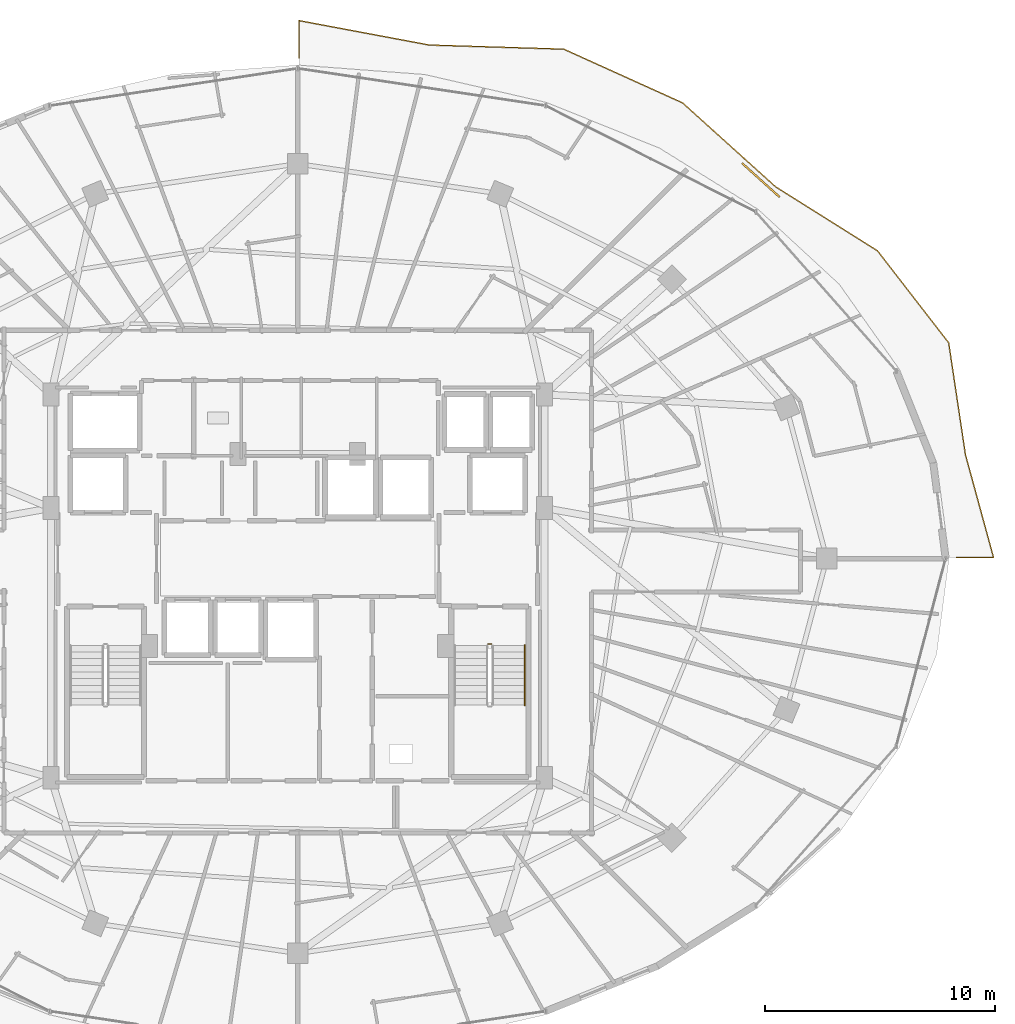
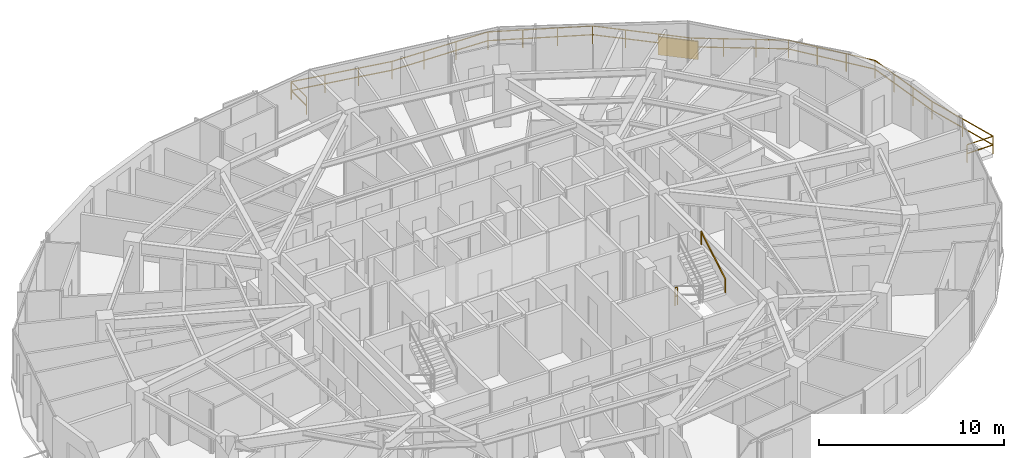
# One storey, part 33 of 34: 4 railings, 1 shading device.
"""IFC4 building model written with IfcOpenShell, lengths in metres."""

from ifc_helpers import new_model, si_unit, direction, frame, origin, origin_2d, place, context, subcontext, project, spatial, rectangle, extrude, material, type_object, element, save


model = new_model("IFC4")

# Units and contexts
model_context = context("Model", 3, precision=1e-05, world=origin(), true_north=direction((0.0, 1.0)))
body_context = subcontext(model_context, "Body", "Model", "MODEL_VIEW")
ifc_project = project(units=[si_unit("LENGTHUNIT", "METRE"), si_unit("AREAUNIT", "SQUARE_METRE"), si_unit("VOLUMEUNIT", "CUBIC_METRE"), si_unit("PLANEANGLEUNIT", "RADIAN"), si_unit("MASSUNIT", "GRAM", prefix="KILO")], contexts=[model_context])

# Site, building, storey
site_placement = place(None, origin())
site = spatial("IfcSite", under=ifc_project, at=site_placement, CompositionType="ELEMENT")
building_placement = place(site_placement, origin())
building = spatial("IfcBuilding", under=site, at=building_placement, Name="Vorneva Point Tower", CompositionType="ELEMENT")
storey_placement = place(building_placement, frame((0.0, 0.0, 186.10009765625)))
storey = spatial("IfcBuildingStorey", under=building, at=storey_placement, Name="L50", CompositionType="ELEMENT", Elevation=186.10009765625)

# Railings
ifc_material_1 = material(Name="Pale anodised aluminium", Category="aluminium")
railing_type_1 = type_object("IfcRailingType", Name="RL-BAL-1200", PredefinedType="BALUSTRADE", material=ifc_material_1)
railing_1_placement = place(storey_placement, frame((38.050048828125, 49.440673828125, 0.0)))
element("IfcRailing", 1, at=railing_1_placement, inside=storey, type_object=railing_type_1, Name="L50 Wave Balcony Balustrade NE.1", PredefinedType="BALUSTRADE", context=body_context, shape_type="SweptSolid", body=[
    extrude(rectangle(XDim=0.048095703125, YDim=0.048095703125, at=origin_2d()), frame((0.0, 0.0, 1.17578125), z_axis=(0.0, -1.0, 0.0), x_axis=(1.0, 0.0, 0.0)), (0.0, 0.0, 1.0), 1.62353515625),
    extrude(rectangle(XDim=0.048095703125, YDim=0.048095703125, at=origin_2d()), frame((0.0, 0.0, 0.60009765625), z_axis=(0.0, -1.0, 0.0), x_axis=(1.0, 0.0, 0.0)), (0.0, 0.0, 1.0), 1.62353515625),
    extrude(rectangle(XDim=0.0419921875, YDim=0.0419921875, at=origin_2d()), origin(), (0.0, 0.0, 1.0), 1.15185546875),
    extrude(rectangle(XDim=0.0419921875, YDim=0.0419921875, at=origin_2d()), frame((0.0, -1.62353515625, 0.0)), (0.0, 0.0, 1.0), 1.15185546875),
])
railing_2_placement = place(storey_placement, frame((66.6962890625, 26.050048828125, 0.0)))
element("IfcRailing", 2, at=railing_2_placement, inside=storey, type_object=railing_type_1, Name="L50 Wave Balcony Balustrade NE.2", PredefinedType="BALUSTRADE", context=body_context, shape_type="SweptSolid", body=[
    extrude(rectangle(XDim=0.048095703125, YDim=0.048095703125, at=origin_2d()), frame((0.0, 0.0, 1.17578125), z_axis=(1.0, 0.0, 0.0), x_axis=(0.0, 1.0, 0.0)), (0.0, 0.0, 1.0), 1.6201171875),
    extrude(rectangle(XDim=0.048095703125, YDim=0.048095703125, at=origin_2d()), frame((0.0, 0.0, 0.60009765625), z_axis=(1.0, 0.0, 0.0), x_axis=(0.0, 1.0, 0.0)), (0.0, 0.0, 1.0), 1.6201171875),
    extrude(rectangle(XDim=0.048095703125, YDim=0.048095703125, at=origin_2d()), frame((1.6201171875, 0.0, 1.17578125), z_axis=(-0.263246545083, 0.964728592145, 0.0), x_axis=(-0.964728592145, -0.263246545083, 0.0)), (0.0, 0.0, 1.0), 4.638916015625),
    extrude(rectangle(XDim=0.048095703125, YDim=0.048095703125, at=origin_2d()), frame((1.6201171875, 0.0, 0.60009765625), z_axis=(-0.263246545083, 0.964728592145, 0.0), x_axis=(-0.964728592145, -0.263246545083, 0.0)), (0.0, 0.0, 1.0), 4.638916015625),
    extrude(rectangle(XDim=0.048095703125, YDim=0.048095703125, at=origin_2d()), frame((0.39892578125, 4.475341796875, 1.17578125), z_axis=(-0.148129755726, 0.9889679345, 0.0), x_axis=(-0.9889679345, -0.148129755726, 0.0)), (0.0, 0.0, 1.0), 4.9296875),
    extrude(rectangle(XDim=0.048095703125, YDim=0.048095703125, at=origin_2d()), frame((0.39892578125, 4.475341796875, 0.60009765625), z_axis=(-0.148129755726, 0.9889679345, 0.0), x_axis=(-0.9889679345, -0.148129755726, 0.0)), (0.0, 0.0, 1.0), 4.9296875),
    extrude(rectangle(XDim=0.048095703125, YDim=0.048095703125, at=origin_2d()), frame((-0.331298828125, 9.3505859375, 1.17578125), z_axis=(-0.612052807686, 0.790816894486, 0.0), x_axis=(-0.790816894486, -0.612052807686, 0.0)), (0.0, 0.0, 1.0), 5.072265625),
    extrude(rectangle(XDim=0.048095703125, YDim=0.048095703125, at=origin_2d()), frame((-0.331298828125, 9.3505859375, 0.60009765625), z_axis=(-0.612052807686, 0.790816894486, 0.0), x_axis=(-0.790816894486, -0.612052807686, 0.0)), (0.0, 0.0, 1.0), 5.072265625),
    extrude(rectangle(XDim=0.048095703125, YDim=0.048095703125, at=origin_2d()), frame((-3.435791015625, 13.36181640625, 1.17578125), z_axis=(-0.846828995832, 0.531865257202, 0.0), x_axis=(-0.531865257202, -0.846828995832, 0.0)), (0.0, 0.0, 1.0), 5.24072265625),
    extrude(rectangle(XDim=0.048095703125, YDim=0.048095703125, at=origin_2d()), frame((-3.435791015625, 13.36181640625, 0.60009765625), z_axis=(-0.846828995832, 0.531865257202, 0.0), x_axis=(-0.531865257202, -0.846828995832, 0.0)), (0.0, 0.0, 1.0), 5.24072265625),
    extrude(rectangle(XDim=0.048095703125, YDim=0.048095703125, at=origin_2d()), frame((-7.873779296875, 16.149169921875, 1.17578125), z_axis=(-0.742573212619, 0.669764901962, 0.0), x_axis=(-0.669764901962, -0.742573212619, 0.0)), (0.0, 0.0, 1.0), 5.458984375),
    extrude(rectangle(XDim=0.048095703125, YDim=0.048095703125, at=origin_2d()), frame((-7.873779296875, 16.149169921875, 0.60009765625), z_axis=(-0.742573212619, 0.669764901962, 0.0), x_axis=(-0.669764901962, -0.742573212619, 0.0)), (0.0, 0.0, 1.0), 5.458984375),
    extrude(rectangle(XDim=0.048095703125, YDim=0.048095703125, at=origin_2d()), frame((-11.927490234375, 19.805419921875, 1.17578125), z_axis=(-0.911162478328, 0.41204725225, 0.0), x_axis=(-0.41204725225, -0.911162478328, 0.0)), (0.0, 0.0, 1.0), 5.680908203125),
    extrude(rectangle(XDim=0.048095703125, YDim=0.048095703125, at=origin_2d()), frame((-11.927490234375, 19.805419921875, 0.60009765625), z_axis=(-0.911162478328, 0.41204725225, 0.0), x_axis=(-0.41204725225, -0.911162478328, 0.0)), (0.0, 0.0, 1.0), 5.680908203125),
    extrude(rectangle(XDim=0.048095703125, YDim=0.048095703125, at=origin_2d()), frame((-17.103759765625, 22.146240234375, 1.17578125), z_axis=(-0.999533007743, 0.030557592056, 0.0), x_axis=(-0.030557592056, -0.999533007743, 0.0)), (0.0, 0.0, 1.0), 5.8642578125),
    extrude(rectangle(XDim=0.048095703125, YDim=0.048095703125, at=origin_2d()), frame((-17.103759765625, 22.146240234375, 0.60009765625), z_axis=(-0.999533007743, 0.030557592056, 0.0), x_axis=(-0.030557592056, -0.999533007743, 0.0)), (0.0, 0.0, 1.0), 5.8642578125),
    extrude(rectangle(XDim=0.048095703125, YDim=0.048095703125, at=origin_2d()), frame((-22.96533203125, 22.325439453125, 1.17578125), z_axis=(-0.982871708748, 0.184291085361, 0.0), x_axis=(-0.184291085361, -0.982871708748, 0.0)), (0.0, 0.0, 1.0), 5.780029296875),
    extrude(rectangle(XDim=0.048095703125, YDim=0.048095703125, at=origin_2d()), frame((-22.96533203125, 22.325439453125, 0.60009765625), z_axis=(-0.982871708748, 0.184291085361, 0.0), x_axis=(-0.184291085361, -0.982871708748, 0.0)), (0.0, 0.0, 1.0), 5.780029296875),
    extrude(rectangle(XDim=0.0419921875, YDim=0.0419921875, at=origin_2d()), origin(), (0.0, 0.0, 1.0), 1.15185546875),
    extrude(rectangle(XDim=0.0419921875, YDim=0.0419921875, at=origin_2d()), frame((1.6201171875, 0.0, 0.0)), (0.0, 0.0, 1.0), 1.15185546875),
    extrude(rectangle(XDim=0.0419921875, YDim=0.0419921875, at=origin_2d()), frame((1.009521484375, 2.23779296875, 0.0)), (0.0, 0.0, 1.0), 1.15185546875),
    extrude(rectangle(XDim=0.0419921875, YDim=0.0419921875, at=origin_2d()), frame((0.39892578125, 4.475341796875, 0.0)), (0.0, 0.0, 1.0), 1.15185546875),
    extrude(rectangle(XDim=0.0419921875, YDim=0.0419921875, at=origin_2d()), frame((0.155517578125, 6.100341796875, 0.0)), (0.0, 0.0, 1.0), 1.15185546875),
    extrude(rectangle(XDim=0.0419921875, YDim=0.0419921875, at=origin_2d()), frame((-0.087890625, 7.7255859375, 0.0)), (0.0, 0.0, 1.0), 1.15185546875),
    extrude(rectangle(XDim=0.0419921875, YDim=0.0419921875, at=origin_2d()), frame((-0.331298828125, 9.3505859375, 0.0)), (0.0, 0.0, 1.0), 1.15185546875),
    extrude(rectangle(XDim=0.0419921875, YDim=0.0419921875, at=origin_2d()), frame((-1.3662109375, 10.687744140625, 0.0)), (0.0, 0.0, 1.0), 1.15185546875),
    extrude(rectangle(XDim=0.0419921875, YDim=0.0419921875, at=origin_2d()), frame((-2.40087890625, 12.024658203125, 0.0)), (0.0, 0.0, 1.0), 1.15185546875),
    extrude(rectangle(XDim=0.0419921875, YDim=0.0419921875, at=origin_2d()), frame((-3.435791015625, 13.36181640625, 0.0)), (0.0, 0.0, 1.0), 1.15185546875),
    extrude(rectangle(XDim=0.0419921875, YDim=0.0419921875, at=origin_2d()), frame((-4.9150390625, 14.291015625, 0.0)), (0.0, 0.0, 1.0), 1.15185546875),
    extrude(rectangle(XDim=0.0419921875, YDim=0.0419921875, at=origin_2d()), frame((-6.39453125, 15.219970703125, 0.0)), (0.0, 0.0, 1.0), 1.15185546875),
    extrude(rectangle(XDim=0.0419921875, YDim=0.0419921875, at=origin_2d()), frame((-7.873779296875, 16.149169921875, 0.0)), (0.0, 0.0, 1.0), 1.15185546875),
    extrude(rectangle(XDim=0.0419921875, YDim=0.0419921875, at=origin_2d()), frame((-9.22509765625, 17.367919921875, 0.0)), (0.0, 0.0, 1.0), 1.15185546875),
    extrude(rectangle(XDim=0.0419921875, YDim=0.0419921875, at=origin_2d()), frame((-10.576171875, 18.586669921875, 0.0)), (0.0, 0.0, 1.0), 1.15185546875),
    extrude(rectangle(XDim=0.0419921875, YDim=0.0419921875, at=origin_2d()), frame((-11.927490234375, 19.805419921875, 0.0)), (0.0, 0.0, 1.0), 1.15185546875),
    extrude(rectangle(XDim=0.0419921875, YDim=0.0419921875, at=origin_2d()), frame((-13.65283203125, 20.585693359375, 0.0)), (0.0, 0.0, 1.0), 1.15185546875),
    extrude(rectangle(XDim=0.0419921875, YDim=0.0419921875, at=origin_2d()), frame((-15.37841796875, 21.365966796875, 0.0)), (0.0, 0.0, 1.0), 1.15185546875),
    extrude(rectangle(XDim=0.0419921875, YDim=0.0419921875, at=origin_2d()), frame((-17.103759765625, 22.146240234375, 0.0)), (0.0, 0.0, 1.0), 1.15185546875),
    extrude(rectangle(XDim=0.0419921875, YDim=0.0419921875, at=origin_2d()), frame((-19.0576171875, 22.2060546875, 0.0)), (0.0, 0.0, 1.0), 1.15185546875),
    extrude(rectangle(XDim=0.0419921875, YDim=0.0419921875, at=origin_2d()), frame((-21.011474609375, 22.265625, 0.0)), (0.0, 0.0, 1.0), 1.15185546875),
    extrude(rectangle(XDim=0.0419921875, YDim=0.0419921875, at=origin_2d()), frame((-22.96533203125, 22.325439453125, 0.0)), (0.0, 0.0, 1.0), 1.15185546875),
    extrude(rectangle(XDim=0.0419921875, YDim=0.0419921875, at=origin_2d()), frame((-24.85888671875, 22.680419921875, 0.0)), (0.0, 0.0, 1.0), 1.15185546875),
    extrude(rectangle(XDim=0.0419921875, YDim=0.0419921875, at=origin_2d()), frame((-26.752685546875, 23.03564453125, 0.0)), (0.0, 0.0, 1.0), 1.15185546875),
    extrude(rectangle(XDim=0.0419921875, YDim=0.0419921875, at=origin_2d()), frame((-28.646240234375, 23.390625, 0.0)), (0.0, 0.0, 1.0), 1.15185546875),
])
ifc_material_2 = material(Name="Brushed stainless steel S304", Category="steel")
railing_type_2 = type_object("IfcRailingType", Name="RL-HND-920", PredefinedType="HANDRAIL", material=ifc_material_2)
railing_3_placement = place(storey_placement, frame((47.89990234375, 19.610107421875, 1.9248046875)))
element("IfcRailing", 3, at=railing_3_placement, inside=storey, type_object=railing_type_2, Name="L50 ST2 stair handrail 2", PredefinedType="HANDRAIL", context=body_context, shape_type="SweptSolid", body=[
    extrude(rectangle(XDim=0.048095703125, YDim=0.048095703125, at=origin_2d()), frame((0.0, 0.0, 0.8759765625), z_axis=(0.0, 0.856147343639, 0.516731773728), x_axis=(-1.0, 0.0, 0.0)), (0.0, 0.0, 1.0), 3.04833984375),
    extrude(rectangle(XDim=0.0419921875, YDim=0.0419921875, at=origin_2d()), origin(), (0.0, 0.0, 1.0), 0.851806640625),
    extrude(rectangle(XDim=0.0419921875, YDim=0.0419921875, at=origin_2d()), frame((0.0, 2.60986328125, 1.5751953125)), (0.0, 0.0, 1.0), 0.851806640625),
])
railing_type_3 = type_object("IfcRailingType", Name="RL-STG-1100", PredefinedType="GUARDRAIL", material=ifc_material_2)
railing_4_placement = place(storey_placement, frame((46.300048828125, 22.27001953125, 0.0)))
element("IfcRailing", 4, at=railing_4_placement, inside=storey, type_object=railing_type_3, Name="L50 ST2 stair guard 4", PredefinedType="GUARDRAIL", context=body_context, shape_type="SweptSolid", body=[
    extrude(rectangle(XDim=0.048095703125, YDim=0.048095703125, at=origin_2d()), frame((0.0, 0.0, 1.17578125), z_axis=(1.0, 0.0, 0.0), x_axis=(0.0, 1.0, 0.0)), (0.0, 0.0, 1.0), 0.14990234375),
    extrude(rectangle(XDim=0.048095703125, YDim=0.048095703125, at=origin_2d()), frame((0.0, 0.0, 0.60009765625), z_axis=(1.0, 0.0, 0.0), x_axis=(0.0, 1.0, 0.0)), (0.0, 0.0, 1.0), 0.14990234375),
    extrude(rectangle(XDim=0.0419921875, YDim=0.0419921875, at=origin_2d()), origin(), (0.0, 0.0, 1.0), 1.15185546875),
    extrude(rectangle(XDim=0.0419921875, YDim=0.0419921875, at=origin_2d()), frame((0.14990234375, 0.0, 0.0)), (0.0, 0.0, 1.0), 1.15185546875),
])

# Shading device
shading_device_type = type_object("IfcShadingDeviceType", Name="SHD-JAL-1200", PredefinedType="JALOUSIE", material=ifc_material_1)
shading_device_placement = place(storey_placement, frame((58.176025390625, 42.489501953125, -0.02001953125), z_axis=(0.0, 0.0, 1.0), x_axis=(-0.742583995213, 0.669752947028, 0.0)))
element("IfcShadingDevice", 5, at=shading_device_placement, inside=storey, type_object=shading_device_type, Name="L50 Balcony Vertical-Greenery Planter Screen NE.2", PredefinedType="JALOUSIE", context=body_context, shape_type="SweptSolid", body=[
    extrude(rectangle(XDim=2.199951171875, YDim=0.080078125, at=origin_2d()), origin(), (0.0, 0.0, 1.0), 1.199951171875),
])

save(model, "model.ifc")
